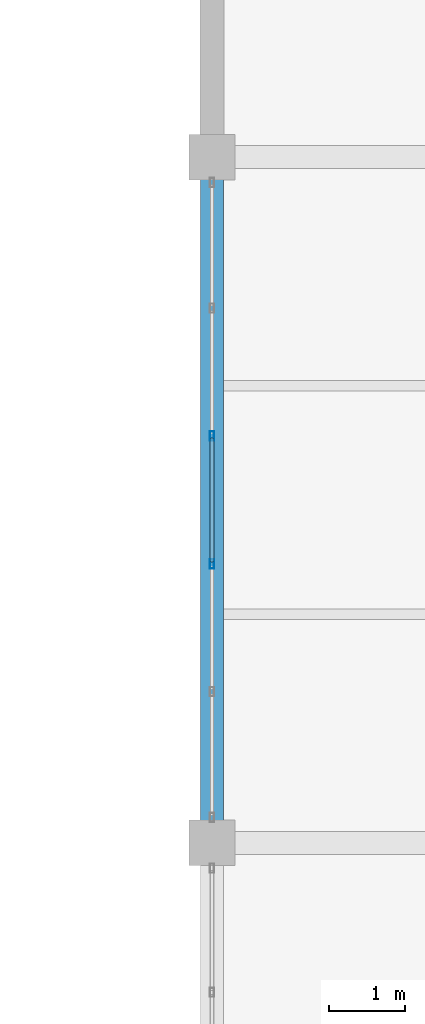
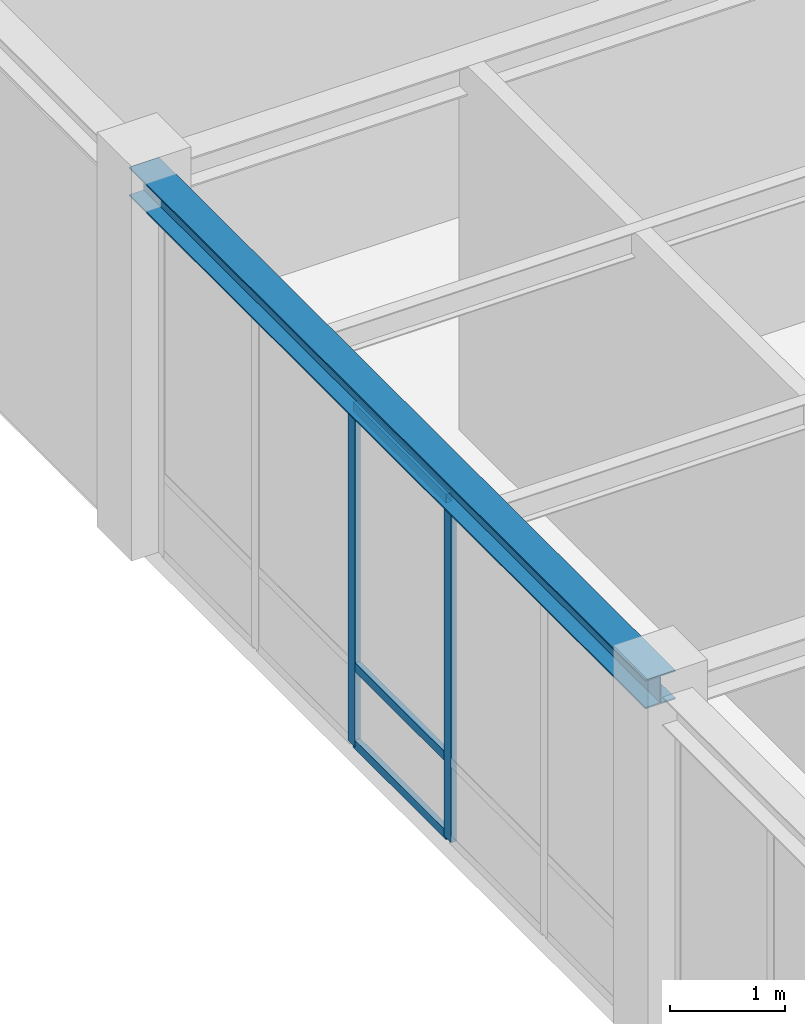
# One storey, part 31 of 130: 5 members, 1 beam, 1 element without a shape of its own.
"""IFC4 building model written with IfcOpenShell, lengths in metres."""

from ifc_helpers import new_model, si_unit, direction, frame, origin, origin_2d, place, context, subcontext, project, spatial, hollow_rectangle, i_section, extrude, material, material_profile, profile_set, type_object, element, aggregate, save


model = new_model("IFC4")

# Units and contexts
model_context = context("Model", 3, precision=1e-05, world=origin(), true_north=direction((0.0, 1.0)))
body_context = subcontext(model_context, "Body", "Model", "MODEL_VIEW")
ifc_project = project(units=[si_unit("LENGTHUNIT", "METRE"), si_unit("AREAUNIT", "SQUARE_METRE"), si_unit("VOLUMEUNIT", "CUBIC_METRE"), si_unit("PLANEANGLEUNIT", "RADIAN"), si_unit("MASSUNIT", "GRAM", prefix="KILO")], contexts=[model_context])

# Site, building, storey
site_placement = place(None, origin())
site = spatial("IfcSite", under=ifc_project, at=site_placement, CompositionType="ELEMENT")
building_placement = place(site_placement, origin())
building = spatial("IfcBuilding", under=site, at=building_placement, Name="Lykobir Media Centre", CompositionType="ELEMENT")
storey_placement = place(building_placement, frame((0.0, 0.0, 19.199951171875)))
storey = spatial("IfcBuildingStorey", under=building, at=storey_placement, Name="L04", CompositionType="ELEMENT", Elevation=19.199951171875)

# Curtain wall, members
ifc_material_1 = material(Name="Anodized Aluminium AW-6060", Category="aluminium")
curtain_wall_type = type_object("IfcCurtainWallType", Name="CW-COURT-B", PredefinedType="NOTDEFINED", material=ifc_material_1)
curtain_wall_placement = place(storey_placement, origin())
curtain_wall = element("IfcCurtainWall", 1, at=curtain_wall_placement, inside=storey, type_object=curtain_wall_type, Name="Curtain wall CW2-L04-0168", PredefinedType="NOTDEFINED")
ifc_material_profile_1 = material_profile(ifc_material_1, hollow_rectangle(XDim=0.054931640625, YDim=0.1201171875, WallThickness=0.003173828125, at=origin_2d()), Name="ALU MULLION 55x120")
ifc_profile_set_1 = profile_set([ifc_material_profile_1], Name="Anodized Aluminium AW-6060")
member_type_1 = type_object("IfcMemberType", Name="CWM-120", PredefinedType="MULLION", material=ifc_profile_set_1)
member_1_placement = place(storey_placement, frame((27.0, 57.660888671875, 0.0), z_axis=(0.0, 0.0, 1.0), x_axis=(-1.0, 0.0, 0.0)))
member_1 = element("IfcMember", 2, at=member_1_placement, type_object=member_type_1, Name="CW2-L04-0168 mullion 3", PredefinedType="MULLION", context=body_context, shape_type="SweptSolid", body=[
    extrude(hollow_rectangle(XDim=0.054931640625, YDim=0.1201171875, WallThickness=0.003173828125, at=origin_2d()), origin(), (0.0, 0.0, 1.0), 3.635009765625),
])
member_2_placement = place(storey_placement, frame((27.0, 59.339111328125, 0.0), z_axis=(0.0, 0.0, 1.0), x_axis=(-1.0, 0.0, 0.0)))
member_2 = element("IfcMember", 3, at=member_2_placement, type_object=member_type_1, Name="CW2-L04-0168 mullion 4", PredefinedType="MULLION", context=body_context, shape_type="SweptSolid", body=[
    extrude(hollow_rectangle(XDim=0.054931640625, YDim=0.1201171875, WallThickness=0.003173828125, at=origin_2d()), origin(), (0.0, 0.0, 1.0), 3.635009765625),
])
ifc_material_profile_2 = material_profile(ifc_material_1, hollow_rectangle(XDim=0.054931640625, YDim=0.094970703125, WallThickness=0.0029296875, at=origin_2d()), Name="ALU TRANSOM 55x95")
ifc_profile_set_2 = profile_set([ifc_material_profile_2], Name="Anodized Aluminium AW-6060")
member_type_2 = type_object("IfcMemberType", Name="CWT-095", PredefinedType="USERDEFINED", material=ifc_profile_set_2)
member_3_placement = place(storey_placement, frame((27.0, 57.6884765625, 0.027587890625), z_axis=(0.0, 1.0, 0.0), x_axis=(-1.0, 0.0, 0.0)))
member_3 = element("IfcMember", 4, at=member_3_placement, type_object=member_type_2, Name="CW2-L04-0168 transom 3.1", ObjectType="TRANSOM", PredefinedType="USERDEFINED", context=body_context, shape_type="SweptSolid", body=[
    extrude(hollow_rectangle(XDim=0.054931640625, YDim=0.094970703125, WallThickness=0.0029296875, at=origin_2d()), origin(), (0.0, 0.0, 1.0), 1.623046875),
])
member_4_placement = place(storey_placement, frame((27.0, 57.6884765625, 0.85009765625), z_axis=(0.0, 1.0, 0.0), x_axis=(-1.0, 0.0, 0.0)))
member_4 = element("IfcMember", 5, at=member_4_placement, type_object=member_type_2, Name="CW2-L04-0168 transom 3.2", ObjectType="TRANSOM", PredefinedType="USERDEFINED", context=body_context, shape_type="SweptSolid", body=[
    extrude(hollow_rectangle(XDim=0.054931640625, YDim=0.094970703125, WallThickness=0.0029296875, at=origin_2d()), origin(), (0.0, 0.0, 1.0), 1.623046875),
])
member_5_placement = place(storey_placement, frame((27.0, 57.6884765625, 3.607666015625), z_axis=(0.0, 1.0, 0.0), x_axis=(-1.0, 0.0, 0.0)))
member_5 = element("IfcMember", 6, at=member_5_placement, type_object=member_type_2, Name="CW2-L04-0168 transom 3.3", ObjectType="TRANSOM", PredefinedType="USERDEFINED", context=body_context, shape_type="SweptSolid", body=[
    extrude(hollow_rectangle(XDim=0.054931640625, YDim=0.094970703125, WallThickness=0.0029296875, at=origin_2d()), origin(), (0.0, 0.0, 1.0), 1.623046875),
])
aggregate(curtain_wall, [member_1, member_2, member_3, member_4, member_5])

# Beam
ifc_material_2 = material(Name="Steel S355", Category="steel")
ifc_material_profile_3 = material_profile(ifc_material_2, i_section(OverallWidth=0.300048828125, OverallDepth=0.31005859375, WebThickness=0.009033203125, FlangeThickness=0.015380859375, at=origin_2d()), Name="HEA 320")
ifc_profile_set_3 = profile_set([ifc_material_profile_3], Name="Steel S355")
beam_type = type_object("IfcBeamType", Name="SP-HEA320", PredefinedType="SPANDREL", material=ifc_profile_set_3)
beam_placement = place(storey_placement, frame((27.0, 54.0, 3.804931640625), z_axis=(0.0, 1.0, 0.0), x_axis=(-1.0, 0.0, 0.0)))
element("IfcBeam", 7, at=beam_placement, inside=storey, type_object=beam_type, Name="Beam BM-L04-0270-0540-0270-0630-2300", PredefinedType="SPANDREL", context=body_context, shape_type="SweptSolid", body=[
    extrude(i_section(OverallWidth=0.300048828125, OverallDepth=0.31005859375, WebThickness=0.009033203125, FlangeThickness=0.015380859375, at=origin_2d()), origin(), (0.0, 0.0, 1.0), 9.0),
])

save(model, "model.ifc")
